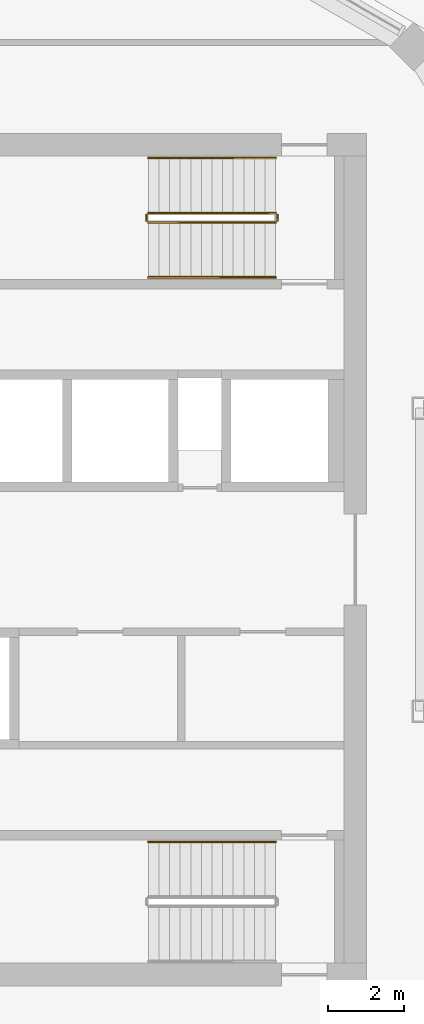
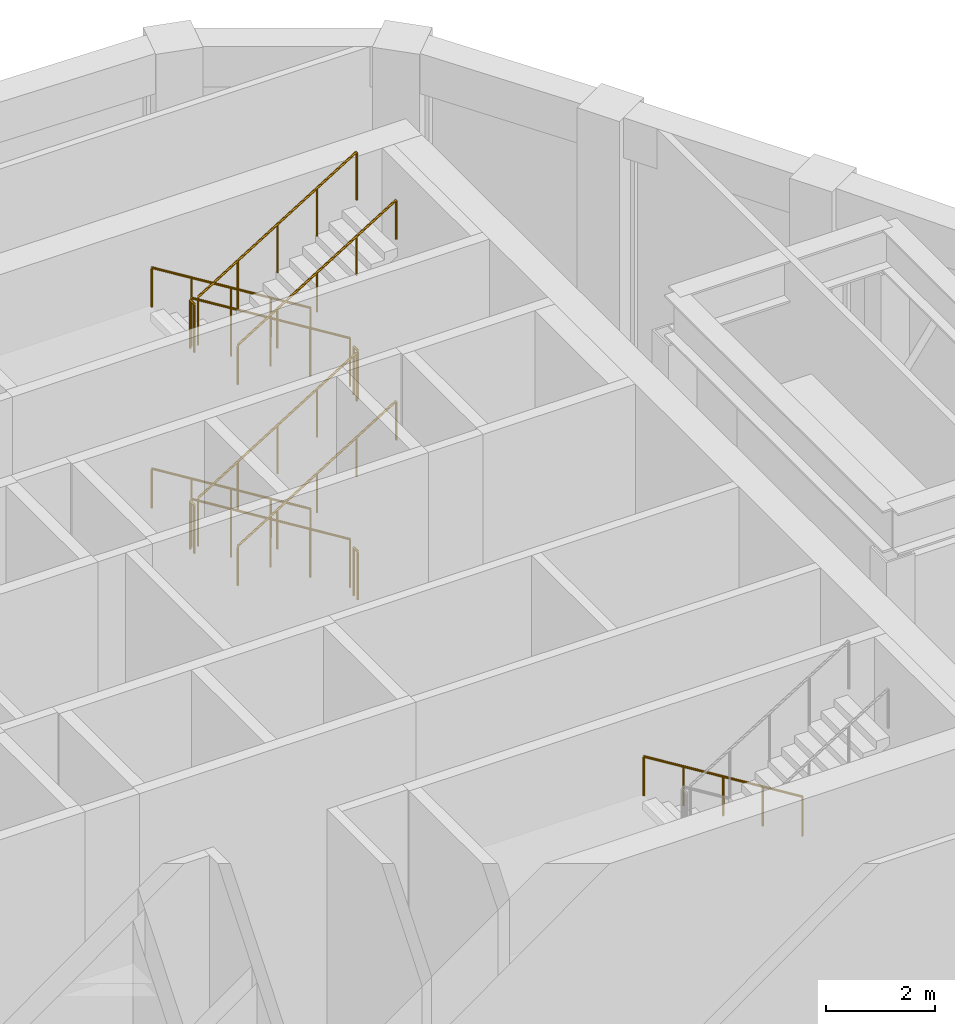
# One storey, part 11 of 11: 13 railings.
"""IFC4 building model written with IfcOpenShell, lengths in metres."""

from ifc_helpers import new_model, si_unit, direction, frame, origin, origin_2d, place, context, subcontext, project, spatial, circle, extrude, material, type_object, element, save


model = new_model("IFC4")

# Units and contexts
model_context = context("Model", 3, precision=1e-05, world=origin(), true_north=direction((0.0, 1.0)))
body_context = subcontext(model_context, "Body", "Model", "MODEL_VIEW")
ifc_project = project(units=[si_unit("LENGTHUNIT", "METRE"), si_unit("AREAUNIT", "SQUARE_METRE"), si_unit("VOLUMEUNIT", "CUBIC_METRE"), si_unit("PLANEANGLEUNIT", "RADIAN"), si_unit("MASSUNIT", "GRAM", prefix="KILO")], contexts=[model_context])

# Site, building, storey
site_placement = place(None, origin())
site = spatial("IfcSite", under=ifc_project, at=site_placement, CompositionType="ELEMENT")
building_placement = place(site_placement, origin())
building = spatial("IfcBuilding", under=site, at=building_placement, Name="Dhurran Vertical Campus", CompositionType="ELEMENT")
storey_placement = place(building_placement, frame((0.0, 0.0, 309.89990234375)))
storey = spatial("IfcBuildingStorey", under=building, at=storey_placement, Name="L77 Damper Plant", CompositionType="ELEMENT", Elevation=309.89990234375)

# Railings
ifc_material_1 = material(Name="Stainless steel balustrade", Category="steel")
railing_type_1 = type_object("IfcRailingType", Name="co-RL-GUARD-1100", PredefinedType="GUARDRAIL", material=ifc_material_1)
railing_1_placement = place(storey_placement, frame((11.10009765625, 9.14990234375, 0.173095703125)))
element("IfcRailing", 1, at=railing_1_placement, inside=storey, type_object=railing_type_1, Name="L77 Damper Plant ST2 stair guard 1", PredefinedType="GUARDRAIL", context=body_context, shape_type="SweptSolid", body=[
    extrude(circle(Radius=0.02392578125, at=origin_2d()), frame((0.0, 0.0, 1.076171875), z_axis=(-0.850623216509, 0.0, 0.525775754039), x_axis=(0.0, -1.0, 0.0)), (0.0, 0.0, 1.0), 3.9501953125),
    extrude(circle(Radius=0.02099609375, at=origin_2d()), origin(), (0.0, 0.0, 1.0), 1.052001953125),
    extrude(circle(Radius=0.02099609375, at=origin_2d()), frame((-0.840087890625, 0.0, 0.519287109375)), (0.0, 0.0, 1.0), 1.052001953125),
    extrude(circle(Radius=0.02099609375, at=origin_2d()), frame((-1.68017578125, 0.0, 1.03857421875)), (0.0, 0.0, 1.0), 1.052001953125),
    extrude(circle(Radius=0.02099609375, at=origin_2d()), frame((-2.52001953125, 0.0, 1.5576171875)), (0.0, 0.0, 1.0), 1.052001953125),
    extrude(circle(Radius=0.02099609375, at=origin_2d()), frame((-3.360107421875, 0.0, 2.076904296875)), (0.0, 0.0, 1.0), 1.052001953125),
])
railing_2_placement = place(storey_placement, frame((7.68994140625, 9.10009765625, 2.25)))
element("IfcRailing", 2, at=railing_2_placement, inside=storey, type_object=railing_type_1, Name="L77 Damper Plant ST2 stair guard 2", PredefinedType="GUARDRAIL", context=body_context, shape_type="SweptSolid", body=[
    extrude(circle(Radius=0.02392578125, at=origin_2d()), frame((0.0, 0.0, 1.076171875), z_axis=(0.0, -1.0, 0.0), x_axis=(1.0, 0.0, 0.0)), (0.0, 0.0, 1.0), 0.150146484375),
    extrude(circle(Radius=0.02099609375, at=origin_2d()), origin(), (0.0, 0.0, 1.0), 1.052001953125),
    extrude(circle(Radius=0.02099609375, at=origin_2d()), frame((0.0, -0.150146484375, 0.0)), (0.0, 0.0, 1.0), 1.052001953125),
])
railing_3_placement = place(storey_placement, frame((7.739990234375, 8.89990234375, 2.423095703125)))
element("IfcRailing", 3, at=railing_3_placement, inside=storey, type_object=railing_type_1, Name="L77 Damper Plant ST2 stair guard 3", PredefinedType="GUARDRAIL", context=body_context, shape_type="SweptSolid", body=[
    extrude(circle(Radius=0.02392578125, at=origin_2d()), frame((0.0, 0.0, 1.076171875), z_axis=(0.850623216509, 0.0, 0.525775754039), x_axis=(0.0, 1.0, 0.0)), (0.0, 0.0, 1.0), 3.9501953125),
    extrude(circle(Radius=0.02099609375, at=origin_2d()), origin(), (0.0, 0.0, 1.0), 1.052001953125),
    extrude(circle(Radius=0.02099609375, at=origin_2d()), frame((0.840087890625, 0.0, 0.519287109375)), (0.0, 0.0, 1.0), 1.052001953125),
    extrude(circle(Radius=0.02099609375, at=origin_2d()), frame((1.68017578125, 0.0, 1.03857421875)), (0.0, 0.0, 1.0), 1.052001953125),
    extrude(circle(Radius=0.02099609375, at=origin_2d()), frame((2.52001953125, 0.0, 1.5576171875)), (0.0, 0.0, 1.0), 1.052001953125),
    extrude(circle(Radius=0.02099609375, at=origin_2d()), frame((3.360107421875, 0.0, 2.076904296875)), (0.0, 0.0, 1.0), 1.052001953125),
])
railing_4_placement = place(storey_placement, frame((11.14990234375, 9.10009765625, 4.5)))
element("IfcRailing", 4, at=railing_4_placement, inside=storey, type_object=railing_type_1, Name="L77 Damper Plant ST2 stair guard 4", PredefinedType="GUARDRAIL", context=body_context, shape_type="SweptSolid", body=[
    extrude(circle(Radius=0.02392578125, at=origin_2d()), frame((0.0, 0.0, 1.076171875), z_axis=(0.0, -1.0, 0.0), x_axis=(1.0, 0.0, 0.0)), (0.0, 0.0, 1.0), 0.150146484375),
    extrude(circle(Radius=0.02099609375, at=origin_2d()), origin(), (0.0, 0.0, 1.0), 1.052001953125),
    extrude(circle(Radius=0.02099609375, at=origin_2d()), frame((0.0, -0.150146484375, 0.0)), (0.0, 0.0, 1.0), 1.052001953125),
])
railing_5_placement = place(storey_placement, frame((11.10009765625, 9.14990234375, 4.673095703125)))
element("IfcRailing", 5, at=railing_5_placement, inside=storey, type_object=railing_type_1, Name="L77 Damper Plant ST2 stair guard 5", PredefinedType="GUARDRAIL", context=body_context, shape_type="SweptSolid", body=[
    extrude(circle(Radius=0.02392578125, at=origin_2d()), frame((0.0, 0.0, 1.076171875), z_axis=(-0.850623216509, 0.0, 0.525775754039), x_axis=(0.0, -1.0, 0.0)), (0.0, 0.0, 1.0), 3.9501953125),
    extrude(circle(Radius=0.02099609375, at=origin_2d()), origin(), (0.0, 0.0, 1.0), 1.052001953125),
    extrude(circle(Radius=0.02099609375, at=origin_2d()), frame((-0.840087890625, 0.0, 0.519287109375)), (0.0, 0.0, 1.0), 1.052001953125),
    extrude(circle(Radius=0.02099609375, at=origin_2d()), frame((-1.68017578125, 0.0, 1.03857421875)), (0.0, 0.0, 1.0), 1.052001953125),
    extrude(circle(Radius=0.02099609375, at=origin_2d()), frame((-2.52001953125, 0.0, 1.5576171875)), (0.0, 0.0, 1.0), 1.052001953125),
    extrude(circle(Radius=0.02099609375, at=origin_2d()), frame((-3.360107421875, 0.0, 2.076904296875)), (0.0, 0.0, 1.0), 1.052001953125),
])
railing_6_placement = place(storey_placement, frame((7.68994140625, 9.10009765625, 6.75)))
element("IfcRailing", 6, at=railing_6_placement, inside=storey, type_object=railing_type_1, Name="L77 Damper Plant ST2 stair guard 6", PredefinedType="GUARDRAIL", context=body_context, shape_type="SweptSolid", body=[
    extrude(circle(Radius=0.02392578125, at=origin_2d()), frame((0.0, 0.0, 1.076171875), z_axis=(0.0, -1.0, 0.0), x_axis=(1.0, 0.0, 0.0)), (0.0, 0.0, 1.0), 0.150146484375),
    extrude(circle(Radius=0.02099609375, at=origin_2d()), origin(), (0.0, 0.0, 1.0), 1.052001953125),
    extrude(circle(Radius=0.02099609375, at=origin_2d()), frame((0.0, -0.150146484375, 0.0)), (0.0, 0.0, 1.0), 1.052001953125),
])
railing_7_placement = place(storey_placement, frame((7.739990234375, 8.89990234375, 6.923095703125)))
element("IfcRailing", 7, at=railing_7_placement, inside=storey, type_object=railing_type_1, Name="L77 Damper Plant ST2 stair guard 7", PredefinedType="GUARDRAIL", context=body_context, shape_type="SweptSolid", body=[
    extrude(circle(Radius=0.02392578125, at=origin_2d()), frame((0.0, 0.0, 1.076171875), z_axis=(0.850623216509, 0.0, 0.525775754039), x_axis=(0.0, 1.0, 0.0)), (0.0, 0.0, 1.0), 3.9501953125),
    extrude(circle(Radius=0.02099609375, at=origin_2d()), origin(), (0.0, 0.0, 1.0), 1.052001953125),
    extrude(circle(Radius=0.02099609375, at=origin_2d()), frame((0.840087890625, 0.0, 0.519287109375)), (0.0, 0.0, 1.0), 1.052001953125),
    extrude(circle(Radius=0.02099609375, at=origin_2d()), frame((1.68017578125, 0.0, 1.03857421875)), (0.0, 0.0, 1.0), 1.052001953125),
    extrude(circle(Radius=0.02099609375, at=origin_2d()), frame((2.52001953125, 0.0, 1.5576171875)), (0.0, 0.0, 1.0), 1.052001953125),
    extrude(circle(Radius=0.02099609375, at=origin_2d()), frame((3.360107421875, 0.0, 2.076904296875)), (0.0, 0.0, 1.0), 1.052001953125),
])
railing_8_placement = place(storey_placement, frame((11.14990234375, 9.10009765625, 0.0)))
element("IfcRailing", 8, at=railing_8_placement, inside=storey, type_object=railing_type_1, Name="L77 Damper Plant ST2 stair guard 8", PredefinedType="GUARDRAIL", context=body_context, shape_type="SweptSolid", body=[
    extrude(circle(Radius=0.02392578125, at=origin_2d()), frame((0.0, 0.0, 1.076171875), z_axis=(0.0, -1.0, 0.0), x_axis=(1.0, 0.0, 0.0)), (0.0, 0.0, 1.0), 0.150146484375),
    extrude(circle(Radius=0.02099609375, at=origin_2d()), origin(), (0.0, 0.0, 1.0), 1.052001953125),
    extrude(circle(Radius=0.02099609375, at=origin_2d()), frame((0.0, -0.150146484375, 0.0)), (0.0, 0.0, 1.0), 1.052001953125),
])
ifc_material_2 = material(Name="Stainless steel handrail", Category="steel")
railing_type_2 = type_object("IfcRailingType", Name="co-RL-HANDRAIL-900", PredefinedType="HANDRAIL", material=ifc_material_2)
railing_9_placement = place(storey_placement, frame((11.10009765625, 10.60009765625, 0.173095703125)))
element("IfcRailing", 9, at=railing_9_placement, inside=storey, type_object=railing_type_2, Name="L77 Damper Plant ST2 stair handrail 1", PredefinedType="HANDRAIL", context=body_context, shape_type="SweptSolid", body=[
    extrude(circle(Radius=0.02392578125, at=origin_2d()), frame((0.0, 0.0, 0.8759765625), z_axis=(-0.850623216509, 0.0, 0.525775754039), x_axis=(0.0, -1.0, 0.0)), (0.0, 0.0, 1.0), 3.9501953125),
    extrude(circle(Radius=0.02099609375, at=origin_2d()), origin(), (0.0, 0.0, 1.0), 0.851806640625),
    extrude(circle(Radius=0.02099609375, at=origin_2d()), frame((-0.840087890625, 0.0, 0.519287109375)), (0.0, 0.0, 1.0), 0.851806640625),
    extrude(circle(Radius=0.02099609375, at=origin_2d()), frame((-1.68017578125, 0.0, 1.03857421875)), (0.0, 0.0, 1.0), 0.851806640625),
    extrude(circle(Radius=0.02099609375, at=origin_2d()), frame((-2.52001953125, 0.0, 1.5576171875)), (0.0, 0.0, 1.0), 0.851806640625),
    extrude(circle(Radius=0.02099609375, at=origin_2d()), frame((-3.360107421875, 0.0, 2.076904296875)), (0.0, 0.0, 1.0), 0.851806640625),
])
railing_10_placement = place(storey_placement, frame((7.739990234375, 7.449951171875, 2.423095703125)))
element("IfcRailing", 10, at=railing_10_placement, inside=storey, type_object=railing_type_2, Name="L77 Damper Plant ST2 stair handrail 2", PredefinedType="HANDRAIL", context=body_context, shape_type="SweptSolid", body=[
    extrude(circle(Radius=0.02392578125, at=origin_2d()), frame((0.0, 0.0, 0.8759765625), z_axis=(0.850623216509, 0.0, 0.525775754039), x_axis=(0.0, 1.0, 0.0)), (0.0, 0.0, 1.0), 3.9501953125),
    extrude(circle(Radius=0.02099609375, at=origin_2d()), origin(), (0.0, 0.0, 1.0), 0.851806640625),
    extrude(circle(Radius=0.02099609375, at=origin_2d()), frame((0.840087890625, 0.0, 0.519287109375)), (0.0, 0.0, 1.0), 0.851806640625),
    extrude(circle(Radius=0.02099609375, at=origin_2d()), frame((1.68017578125, 0.0, 1.03857421875)), (0.0, 0.0, 1.0), 0.851806640625),
    extrude(circle(Radius=0.02099609375, at=origin_2d()), frame((2.52001953125, 0.0, 1.5576171875)), (0.0, 0.0, 1.0), 0.851806640625),
    extrude(circle(Radius=0.02099609375, at=origin_2d()), frame((3.360107421875, 0.0, 2.076904296875)), (0.0, 0.0, 1.0), 0.851806640625),
])
railing_11_placement = place(storey_placement, frame((11.10009765625, 10.60009765625, 4.673095703125)))
element("IfcRailing", 11, at=railing_11_placement, inside=storey, type_object=railing_type_2, Name="L77 Damper Plant ST2 stair handrail 3", PredefinedType="HANDRAIL", context=body_context, shape_type="SweptSolid", body=[
    extrude(circle(Radius=0.02392578125, at=origin_2d()), frame((0.0, 0.0, 0.8759765625), z_axis=(-0.850623216509, 0.0, 0.525775754039), x_axis=(0.0, -1.0, 0.0)), (0.0, 0.0, 1.0), 3.9501953125),
    extrude(circle(Radius=0.02099609375, at=origin_2d()), origin(), (0.0, 0.0, 1.0), 0.851806640625),
    extrude(circle(Radius=0.02099609375, at=origin_2d()), frame((-0.840087890625, 0.0, 0.519287109375)), (0.0, 0.0, 1.0), 0.851806640625),
    extrude(circle(Radius=0.02099609375, at=origin_2d()), frame((-1.68017578125, 0.0, 1.03857421875)), (0.0, 0.0, 1.0), 0.851806640625),
    extrude(circle(Radius=0.02099609375, at=origin_2d()), frame((-2.52001953125, 0.0, 1.5576171875)), (0.0, 0.0, 1.0), 0.851806640625),
    extrude(circle(Radius=0.02099609375, at=origin_2d()), frame((-3.360107421875, 0.0, 2.076904296875)), (0.0, 0.0, 1.0), 0.851806640625),
])
railing_12_placement = place(storey_placement, frame((7.739990234375, 7.449951171875, 6.923095703125)))
element("IfcRailing", 12, at=railing_12_placement, inside=storey, type_object=railing_type_2, Name="L77 Damper Plant ST2 stair handrail 4", PredefinedType="HANDRAIL", context=body_context, shape_type="SweptSolid", body=[
    extrude(circle(Radius=0.02392578125, at=origin_2d()), frame((0.0, 0.0, 0.8759765625), z_axis=(0.850623216509, 0.0, 0.525775754039), x_axis=(0.0, 1.0, 0.0)), (0.0, 0.0, 1.0), 3.9501953125),
    extrude(circle(Radius=0.02099609375, at=origin_2d()), origin(), (0.0, 0.0, 1.0), 0.851806640625),
    extrude(circle(Radius=0.02099609375, at=origin_2d()), frame((0.840087890625, 0.0, 0.519287109375)), (0.0, 0.0, 1.0), 0.851806640625),
    extrude(circle(Radius=0.02099609375, at=origin_2d()), frame((1.68017578125, 0.0, 1.03857421875)), (0.0, 0.0, 1.0), 0.851806640625),
    extrude(circle(Radius=0.02099609375, at=origin_2d()), frame((2.52001953125, 0.0, 1.5576171875)), (0.0, 0.0, 1.0), 0.851806640625),
    extrude(circle(Radius=0.02099609375, at=origin_2d()), frame((3.360107421875, 0.0, 2.076904296875)), (0.0, 0.0, 1.0), 0.851806640625),
])
railing_13_placement = place(storey_placement, frame((11.10009765625, -7.449951171875, 4.673095703125)))
element("IfcRailing", 13, at=railing_13_placement, inside=storey, type_object=railing_type_2, Name="L77 Damper Plant ST4 stair handrail 3", PredefinedType="HANDRAIL", context=body_context, shape_type="SweptSolid", body=[
    extrude(circle(Radius=0.02392578125, at=origin_2d()), frame((0.0, 0.0, 0.8759765625), z_axis=(-0.850623216509, 0.0, 0.525775754039), x_axis=(0.0, -1.0, 0.0)), (0.0, 0.0, 1.0), 3.9501953125),
    extrude(circle(Radius=0.02099609375, at=origin_2d()), origin(), (0.0, 0.0, 1.0), 0.851806640625),
    extrude(circle(Radius=0.02099609375, at=origin_2d()), frame((-0.840087890625, 0.0, 0.519287109375)), (0.0, 0.0, 1.0), 0.851806640625),
    extrude(circle(Radius=0.02099609375, at=origin_2d()), frame((-1.68017578125, 0.0, 1.03857421875)), (0.0, 0.0, 1.0), 0.851806640625),
    extrude(circle(Radius=0.02099609375, at=origin_2d()), frame((-2.52001953125, 0.0, 1.5576171875)), (0.0, 0.0, 1.0), 0.851806640625),
    extrude(circle(Radius=0.02099609375, at=origin_2d()), frame((-3.360107421875, 0.0, 2.076904296875)), (0.0, 0.0, 1.0), 0.851806640625),
])

save(model, "model.ifc")
